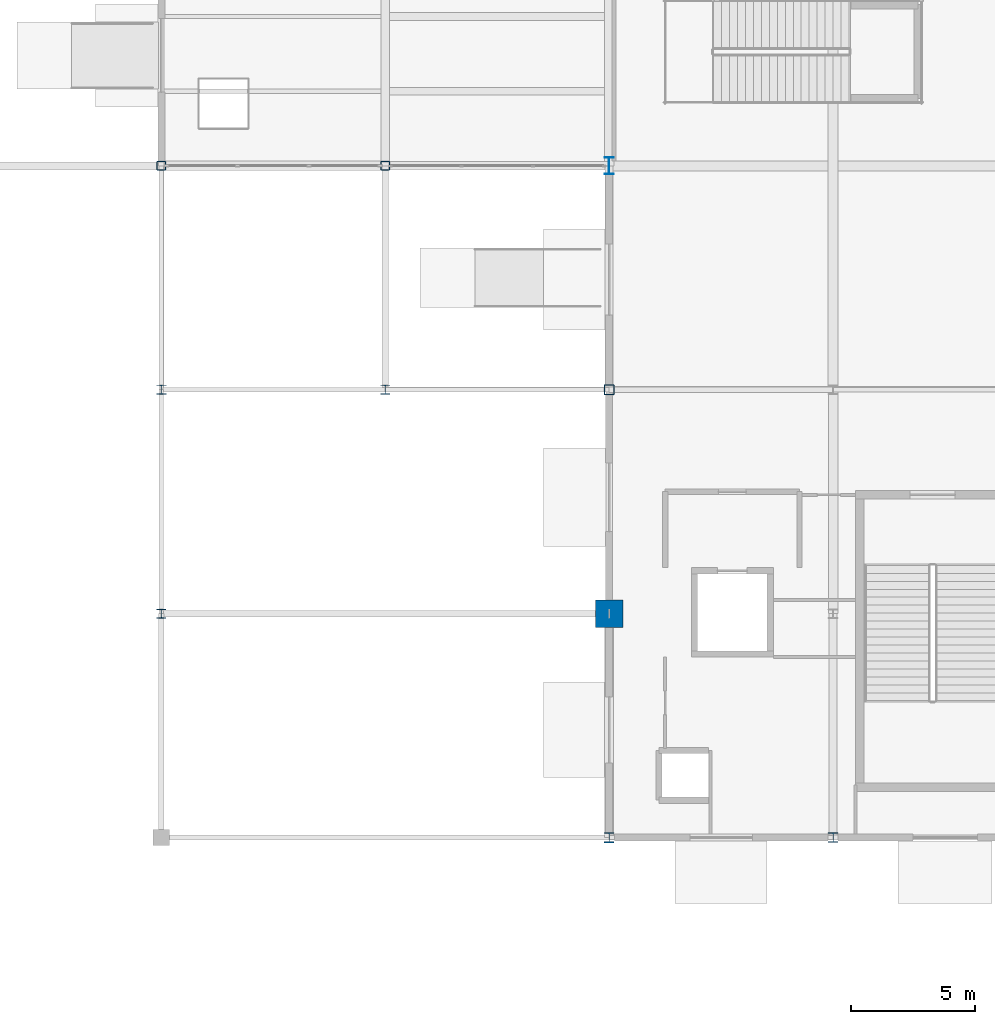
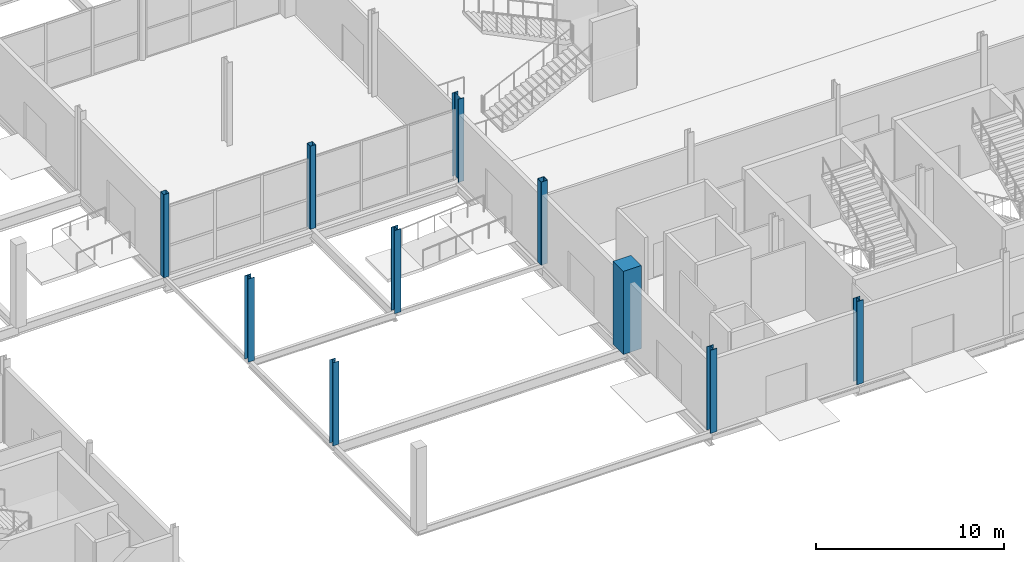
# One storey, part 13 of 94: 10 columns.
"""IFC4 building model written with IfcOpenShell, lengths in metres."""

from ifc_helpers import new_model, si_unit, direction, frame, origin, origin_2d, place, context, subcontext, project, spatial, rectangle, hollow_rectangle, i_section, extrude, material, material_profile, profile_set, type_object, element, save


model = new_model("IFC4")

# Units and contexts
model_context = context("Model", 3, precision=1e-05, world=origin(), true_north=direction((0.0, 1.0)))
body_context = subcontext(model_context, "Body", "Model", "MODEL_VIEW")
ifc_project = project(units=[si_unit("LENGTHUNIT", "METRE"), si_unit("AREAUNIT", "SQUARE_METRE"), si_unit("VOLUMEUNIT", "CUBIC_METRE"), si_unit("PLANEANGLEUNIT", "RADIAN"), si_unit("MASSUNIT", "GRAM", prefix="KILO")], contexts=[model_context])

# Site, building, storey
site_placement = place(None, origin())
site = spatial("IfcSite", under=ifc_project, at=site_placement, CompositionType="ELEMENT")
building_placement = place(site_placement, origin())
building = spatial("IfcBuilding", under=site, at=building_placement, Name="Qamarlyn Nura Convention Centre", CompositionType="ELEMENT")
storey_placement = place(building_placement, origin())
storey = spatial("IfcBuildingStorey", under=building, at=storey_placement, Name="L00", CompositionType="ELEMENT", Elevation=0.0)

# Columns
ifc_material_1 = material(Name="Steel ASTM A500 Grade C", Category="steel")
ifc_material_profile_1 = material_profile(ifc_material_1, hollow_rectangle(XDim=0.39990234375, YDim=0.39990234375, WallThickness=0.01611328125, InnerFilletRadius=0.01611328125, OuterFilletRadius=0.031982421875, at=origin_2d()), Name="HSS400X400X16")
ifc_profile_set_1 = profile_set([ifc_material_profile_1], Name="Steel ASTM A500 Grade C")
column_type_1 = type_object("IfcColumnType", Name="COL-HSS-1", PredefinedType="COLUMN", material=ifc_profile_set_1)
column_1_placement = place(storey_placement, frame((153.0, 18.0, 0.0), z_axis=(0.0, 0.0, 1.0), x_axis=(1.0, 0.0, 0.0)))
element("IfcColumn", 1, at=column_1_placement, inside=storey, type_object=column_type_1, Name="L00 column 13/C", PredefinedType="COLUMN", context=body_context, shape_type="SweptSolid", body=[
    extrude(hollow_rectangle(XDim=0.39990234375, YDim=0.39990234375, WallThickness=0.01611328125, InnerFilletRadius=0.01611328125, OuterFilletRadius=0.031982421875, at=origin_2d()), origin(), (0.0, 0.0, 1.0), 5.39990234375),
])
ifc_material_profile_2 = material_profile(ifc_material_1, hollow_rectangle(XDim=0.35009765625, YDim=0.35009765625, WallThickness=0.012451171875, InnerFilletRadius=0.012451171875, OuterFilletRadius=0.02490234375, at=origin_2d()), Name="HSS350X350X12.5")
ifc_profile_set_2 = profile_set([ifc_material_profile_2], Name="Steel ASTM A500 Grade C")
column_type_2 = type_object("IfcColumnType", Name="COL-HSS-2", PredefinedType="COLUMN", material=ifc_profile_set_2)
for number, where, z_axis, x_axis, name in (
    (2, (135.0, 27.0, 0.0), (0.0, 0.0, 1.0), (1.0, 0.0, 0.0), "L00 column 11/D"),
    (3, (144.0, 27.0, 0.0), (0.0, 0.0, 1.0), (1.0, 0.0, 0.0), "L00 column 12/D"),
):
    element("IfcColumn", number, at=place(storey_placement, frame(where, z_axis=z_axis, x_axis=x_axis)), inside=storey, type_object=column_type_2, Name=name, PredefinedType="COLUMN", context=body_context, shape_type="SweptSolid", body=[
        extrude(hollow_rectangle(XDim=0.35009765625, YDim=0.35009765625, WallThickness=0.012451171875, InnerFilletRadius=0.012451171875, OuterFilletRadius=0.02490234375, at=origin_2d()), origin(), (0.0, 0.0, 1.0), 5.39990234375),
    ])
ifc_material_2 = material(Name="Steel ASTM A992", Category="steel")
ifc_material_profile_3 = material_profile(ifc_material_2, i_section(OverallWidth=0.408935546875, OverallDepth=0.425048828125, WebThickness=0.030517578125, FlangeThickness=0.049072265625, FilletRadius=0.02001953125, at=origin_2d()), Name="W360X421")
ifc_profile_set_3 = profile_set([ifc_material_profile_3], Name="Steel ASTM A992")
column_type_3 = type_object("IfcColumnType", Name="COL-MEGA-1", PredefinedType="COLUMN", material=ifc_profile_set_3)
column_2_placement = place(storey_placement, frame((153.0, 0.0, 0.0), z_axis=(0.0, 0.0, 1.0), x_axis=(1.0, 0.0, 0.0)))
element("IfcColumn", 4, at=column_2_placement, inside=storey, type_object=column_type_3, Name="L00 column 13/A", PredefinedType="COLUMN", context=body_context, shape_type="SweptSolid", body=[
    extrude(i_section(OverallWidth=0.408935546875, OverallDepth=0.425048828125, WebThickness=0.030517578125, FlangeThickness=0.049072265625, FilletRadius=0.02001953125, at=origin_2d()), origin(), (0.0, 0.0, 1.0), 5.39990234375),
])
ifc_material_3 = material(Name="Concrete C50/60", Category="concrete")
ifc_material_profile_4 = material_profile(ifc_material_3, rectangle(XDim=1.10009765625, YDim=1.10009765625, at=origin_2d()), Name="RC 1100x1100")
ifc_profile_set_4 = profile_set([ifc_material_profile_4], Name="Concrete C50/60")
column_type_4 = type_object("IfcColumnType", Name="COL-MEGA-2", PredefinedType="COLUMN", material=ifc_profile_set_4)
column_3_placement = place(storey_placement, frame((153.0, 9.0, 0.0), z_axis=(0.0, 0.0, 1.0), x_axis=(1.0, 0.0, 0.0)))
element("IfcColumn", 5, at=column_3_placement, inside=storey, type_object=column_type_4, Name="L00 column 13/B", PredefinedType="COLUMN", context=body_context, shape_type="SweptSolid", body=[
    extrude(rectangle(XDim=1.10009765625, YDim=1.10009765625, at=origin_2d()), origin(), (0.0, 0.0, 1.0), 5.39990234375),
])
ifc_material_profile_5 = material_profile(ifc_material_2, i_section(OverallWidth=0.39892578125, OverallDepth=0.39306640625, WebThickness=0.022705078125, FlangeThickness=0.03662109375, FilletRadius=0.01806640625, at=origin_2d()), Name="W360X287")
ifc_profile_set_5 = profile_set([ifc_material_profile_5], Name="Steel ASTM A992")
column_type_5 = type_object("IfcColumnType", Name="COL-WING-1", PredefinedType="COLUMN", material=ifc_profile_set_5)
for number, where, z_axis, x_axis, name in (
    (6, (135.0, 18.0, 0.0), (0.0, 0.0, 1.0), (1.0, 0.0, 0.0), "L00 column 11/C"),
    (7, (144.0, 18.0, 0.0), (0.0, 0.0, 1.0), (1.0, 0.0, 0.0), "L00 column 12/C"),
    (8, (162.0, 0.0, 0.0), (0.0, 0.0, 1.0), (1.0, 0.0, 0.0), "L00 column 14/A"),
):
    element("IfcColumn", number, at=place(storey_placement, frame(where, z_axis=z_axis, x_axis=x_axis)), inside=storey, type_object=column_type_5, Name=name, PredefinedType="COLUMN", context=body_context, shape_type="SweptSolid", body=[
        extrude(i_section(OverallWidth=0.39892578125, OverallDepth=0.39306640625, WebThickness=0.022705078125, FlangeThickness=0.03662109375, FilletRadius=0.01806640625, at=origin_2d()), origin(), (0.0, 0.0, 1.0), 5.39990234375),
    ])
ifc_material_profile_6 = material_profile(ifc_material_2, i_section(OverallWidth=0.368896484375, OverallDepth=0.35595703125, WebThickness=0.01123046875, FlangeThickness=0.01806640625, FilletRadius=0.014892578125, at=origin_2d()), Name="W360X134")
ifc_profile_set_6 = profile_set([ifc_material_profile_6], Name="Steel ASTM A992")
column_type_6 = type_object("IfcColumnType", Name="COL-WING-3", PredefinedType="COLUMN", material=ifc_profile_set_6)
column_4_placement = place(storey_placement, frame((135.0, 9.0, 0.0), z_axis=(0.0, 0.0, 1.0), x_axis=(1.0, 0.0, 0.0)))
element("IfcColumn", 9, at=column_4_placement, inside=storey, type_object=column_type_6, Name="L00 column 11/B", PredefinedType="COLUMN", context=body_context, shape_type="SweptSolid", body=[
    extrude(i_section(OverallWidth=0.368896484375, OverallDepth=0.35595703125, WebThickness=0.01123046875, FlangeThickness=0.01806640625, FilletRadius=0.014892578125, at=origin_2d()), origin(), (0.0, 0.0, 1.0), 5.39990234375),
])
ifc_material_profile_7 = material_profile(ifc_material_2, i_section(OverallWidth=0.35498046875, OverallDepth=0.695068359375, WebThickness=0.015380859375, FlangeThickness=0.02490234375, FilletRadius=0.01806640625, at=origin_2d()), Name="W690X217")
ifc_profile_set_7 = profile_set([ifc_material_profile_7], Name="Steel ASTM A992")
column_type_7 = type_object("IfcColumnType", Name="COL-WING-5", PredefinedType="COLUMN", material=ifc_profile_set_7)
column_5_placement = place(storey_placement, frame((153.0, 27.0, 0.0), z_axis=(0.0, 0.0, 1.0), x_axis=(1.0, 0.0, 0.0)))
element("IfcColumn", 10, at=column_5_placement, inside=storey, type_object=column_type_7, Name="L00 column 13/D", PredefinedType="COLUMN", context=body_context, shape_type="SweptSolid", body=[
    extrude(i_section(OverallWidth=0.35498046875, OverallDepth=0.695068359375, WebThickness=0.015380859375, FlangeThickness=0.02490234375, FilletRadius=0.01806640625, at=origin_2d()), origin(), (0.0, 0.0, 1.0), 5.39990234375),
])

save(model, "model.ifc")
